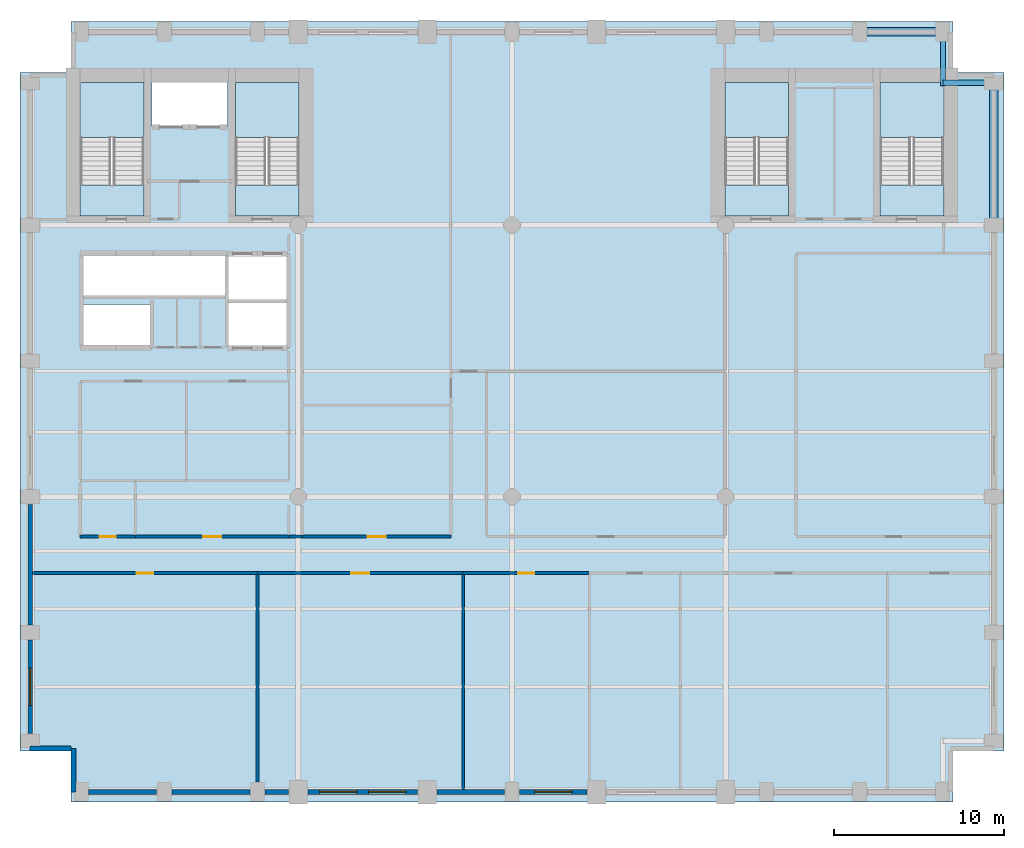
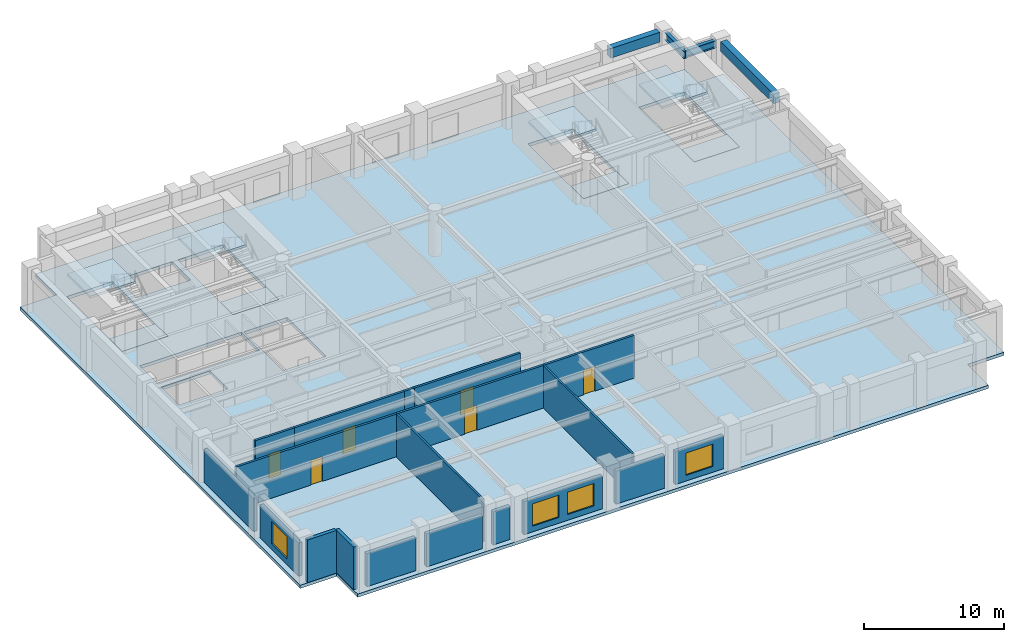
# One storey, part 2 of 8: 19 walls, 9 slabs, 6 doors, 4 beams, 4 windows, 10 openings, 4 elements without a shape of their own.
"""IFC4 building model written with IfcOpenShell, lengths in metres."""

from ifc_helpers import new_model, si_unit, direction, frame, frame_2d, origin, origin_2d, place, context, subcontext, project, spatial, polyline, rectangle, i_section, outline, extrude, material, layer, layer_set, material_profile, profile_set, type_object, element, fill, aggregate, save


model = new_model("IFC4")

# Units and contexts
model_context = context("Model", 3, precision=1e-05, world=origin(), true_north=direction((0.0, 1.0)))
body_context = subcontext(model_context, "Body", "Model", "MODEL_VIEW")
ifc_project = project(units=[si_unit("LENGTHUNIT", "METRE"), si_unit("AREAUNIT", "SQUARE_METRE"), si_unit("VOLUMEUNIT", "CUBIC_METRE"), si_unit("PLANEANGLEUNIT", "RADIAN"), si_unit("MASSUNIT", "GRAM", prefix="KILO")], contexts=[model_context])

# Site, building, storey
site_placement = place(None, origin())
site = spatial("IfcSite", under=ifc_project, at=site_placement, CompositionType="ELEMENT")
building_placement = place(site_placement, origin())
building = spatial("IfcBuilding", under=site, at=building_placement, Name="Sulina Concourse Tower", CompositionType="ELEMENT")
storey_placement = place(building_placement, frame((0.0, 0.0, 108.60009765625)))
storey = spatial("IfcBuildingStorey", under=building, at=storey_placement, Name="L26", CompositionType="ELEMENT", Elevation=108.60009765625)

# Beams
ifc_material_1 = material(Name="Steel S355", Category="steel")
ifc_material_profile_1 = material_profile(ifc_material_1, i_section(OverallWidth=0.300048828125, OverallDepth=0.64990234375, WebThickness=0.01611328125, FlangeThickness=0.031005859375, at=origin_2d()), Name="HE 650 B")
ifc_profile_set_1 = profile_set([ifc_material_profile_1], Name="Steel S355")
beam_type_1 = type_object("IfcBeamType", Name="Floor Primary Girder Zone 2 HE650B", PredefinedType="BEAM", material=ifc_profile_set_1)
beam_1_placement = place(storey_placement, frame((54.39990234375, 42.39990234375, 3.39990234375), z_axis=(1.0, 0.0, 0.0), x_axis=(0.0, 1.0, 0.0)))
element("IfcBeam", 1, at=beam_1_placement, inside=storey, type_object=beam_type_1, Name="TIE-NE-L26", PredefinedType="BEAM", context=body_context, shape_type="SweptSolid", body=[
    extrude(i_section(OverallWidth=0.300048828125, OverallDepth=0.64990234375, WebThickness=0.01611328125, FlangeThickness=0.031005859375, at=origin_2d()), origin(), (0.0, 0.0, 1.0), 2.59521484375),
])
beam_2_placement = place(storey_placement, frame((54.39990234375, 42.199951171875, 3.39990234375), z_axis=(0.0, 1.0, 0.0), x_axis=(-1.0, 0.0, 0.0)))
element("IfcBeam", 2, at=beam_2_placement, inside=storey, type_object=beam_type_1, Name="TIE-NEN-L26", PredefinedType="BEAM", context=body_context, shape_type="SweptSolid", body=[
    extrude(i_section(OverallWidth=0.300048828125, OverallDepth=0.64990234375, WebThickness=0.01611328125, FlangeThickness=0.031005859375, at=origin_2d()), origin(), (0.0, 0.0, 1.0), 2.795166015625),
])
ifc_material_2 = material(Name="Precast concrete C50/60", Category="concrete")
ifc_material_profile_2 = material_profile(ifc_material_2, rectangle(XDim=0.5, YDim=0.85009765625, at=origin_2d()), Name="RC 500x850")
ifc_profile_set_2 = profile_set([ifc_material_profile_2], Name="Precast concrete C50/60")
beam_type_2 = type_object("IfcBeamType", Name="Lower Precast Spandrel Edge Beam 500x850", PredefinedType="BEAM", material=ifc_profile_set_2)
beam_3_placement = place(storey_placement, frame((49.905029296875, 45.39990234375, 3.2998046875), z_axis=(1.0, 0.0, 0.0), x_axis=(0.0, 1.0, 0.0)))
element("IfcBeam", 3, at=beam_3_placement, inside=storey, type_object=beam_type_2, Name="SP-N10-L26", PredefinedType="BEAM", context=body_context, shape_type="SweptSolid", body=[
    extrude(rectangle(XDim=0.5, YDim=0.85009765625, at=origin_2d()), origin(), (0.0, 0.0, 1.0), 4.090087890625),
])
beam_4_placement = place(storey_placement, frame((57.39990234375, 34.405029296875, 3.2998046875), z_axis=(0.0, 1.0, 0.0), x_axis=(-1.0, 0.0, 0.0)))
element("IfcBeam", 4, at=beam_4_placement, inside=storey, type_object=beam_type_2, Name="SP-E5-L26", PredefinedType="BEAM", context=body_context, shape_type="SweptSolid", body=[
    extrude(rectangle(XDim=0.5, YDim=0.85009765625, at=origin_2d()), origin(), (0.0, 0.0, 1.0), 7.590087890625),
])

# Slabs
ifc_material_3 = material(Name="Concrete C50/60", Category="concrete")
ifc_layer_1 = layer(ifc_material_3, 0.27490234375)
ifc_layer_set_1 = layer_set([ifc_layer_1], Name="Concrete C50/60")
slab_type_1 = type_object("IfcSlabType", Name="Mid-Rise Composite Floor Slab 275mm", PredefinedType="FLOOR", material=ifc_layer_set_1)
slab_1_placement = place(storey_placement, frame((0.0, 0.0, -0.275146484375)))
element("IfcSlab", 5, at=slab_1_placement, inside=storey, type_object=slab_type_1, Name="L26 structural floor slab", PredefinedType="FLOOR", context=body_context, shape_type="SweptSolid", body=[
    extrude(outline(polyline([(3.0, 0.0), (55.0, 0.0), (55.0, 3.0), (58.0, 3.0), (58.0, 43.0), (55.0, 43.0), (55.0, 46.0), (3.0, 46.0), (3.0, 43.0), (0.0, 43.0), (0.0, 3.0), (3.0, 3.0), (3.0, 0.0)]), holes=[polyline([(7.31005859375, 34.550048828125), (7.31005859375, 42.429931640625), (3.550048828125, 42.429931640625), (3.550048828125, 34.550048828125), (7.31005859375, 34.550048828125)]), polyline([(16.449951171875, 34.550048828125), (16.449951171875, 42.429931640625), (12.68994140625, 42.429931640625), (12.68994140625, 34.550048828125), (16.449951171875, 34.550048828125)]), polyline([(45.31005859375, 34.550048828125), (45.31005859375, 42.429931640625), (41.550048828125, 42.429931640625), (41.550048828125, 34.550048828125), (45.31005859375, 34.550048828125)]), polyline([(54.449951171875, 34.550048828125), (54.449951171875, 42.429931640625), (50.68994140625, 42.429931640625), (50.68994140625, 34.550048828125), (54.449951171875, 34.550048828125)]), polyline([(7.780029296875, 39.830078125), (12.219970703125, 39.830078125), (12.219970703125, 42.449951171875), (7.780029296875, 42.449951171875), (7.780029296875, 39.830078125)]), polyline([(3.739990234375, 26.780029296875), (7.77001953125, 26.780029296875), (7.77001953125, 29.320068359375), (3.739990234375, 29.320068359375), (3.739990234375, 26.780029296875)]), polyline([(3.739990234375, 29.780029296875), (12.10009765625, 29.780029296875), (12.10009765625, 32.3701171875), (3.739990234375, 32.3701171875), (3.739990234375, 29.780029296875)]), polyline([(12.280029296875, 26.780029296875), (15.85009765625, 26.780029296875), (15.85009765625, 32.320068359375), (12.280029296875, 32.320068359375), (12.280029296875, 26.780029296875)])]), origin(), (0.0, 0.0, 1.0), 0.275146484375),
])
ifc_material_4 = material(Name="Concrete C50/60", Category="concrete")
ifc_layer_2 = layer(ifc_material_4, 0.199951171875)
ifc_layer_set_2 = layer_set([ifc_layer_2], Name="Concrete C50/60")
slab_type_2 = type_object("IfcSlabType", Name="Primary Core Stair Landing Slab 200mm", PredefinedType="LANDING", material=ifc_layer_set_2)
slab_2_placement = place(storey_placement, frame((0.0, 0.0, -0.2001953125)))
element("IfcSlab", 6, at=slab_2_placement, inside=storey, type_object=slab_type_2, Name="L26 ST-1 floor landing slab", PredefinedType="LANDING", context=body_context, shape_type="SweptSolid", body=[
    extrude(outline(polyline([(7.31005859375, 34.550048828125), (7.31005859375, 36.375), (3.550048828125, 36.375), (3.550048828125, 34.550048828125), (7.31005859375, 34.550048828125)])), origin(), (0.0, 0.0, 1.0), 0.2001953125),
])
slab_3_placement = place(storey_placement, frame((0.0, 0.0, -0.2001953125)))
element("IfcSlab", 7, at=slab_3_placement, inside=storey, type_object=slab_type_2, Name="L26 ST-2 floor landing slab", PredefinedType="LANDING", context=body_context, shape_type="SweptSolid", body=[
    extrude(outline(polyline([(16.449951171875, 34.550048828125), (16.449951171875, 36.375), (12.68994140625, 36.375), (12.68994140625, 34.550048828125), (16.449951171875, 34.550048828125)])), origin(), (0.0, 0.0, 1.0), 0.2001953125),
])
slab_4_placement = place(storey_placement, frame((0.0, 0.0, -0.2001953125)))
element("IfcSlab", 8, at=slab_4_placement, inside=storey, type_object=slab_type_2, Name="L26 ST-3 floor landing slab", PredefinedType="LANDING", context=body_context, shape_type="SweptSolid", body=[
    extrude(outline(polyline([(45.31005859375, 34.550048828125), (45.31005859375, 36.375), (41.550048828125, 36.375), (41.550048828125, 34.550048828125), (45.31005859375, 34.550048828125)])), origin(), (0.0, 0.0, 1.0), 0.2001953125),
])
slab_5_placement = place(storey_placement, frame((0.0, 0.0, -0.2001953125)))
element("IfcSlab", 9, at=slab_5_placement, inside=storey, type_object=slab_type_2, Name="L26 ST-4 floor landing slab", PredefinedType="LANDING", context=body_context, shape_type="SweptSolid", body=[
    extrude(outline(polyline([(54.449951171875, 34.550048828125), (54.449951171875, 36.375), (50.68994140625, 36.375), (50.68994140625, 34.550048828125), (54.449951171875, 34.550048828125)])), origin(), (0.0, 0.0, 1.0), 0.2001953125),
])

# Stair, slab
ifc_material_5 = material(Name="Concrete C50/60", Category="concrete")
stair_type_1 = type_object("IfcStairType", Name="Primary Core Dog-Leg Exit Stair 1800mm", PredefinedType="HALF_TURN_STAIR", material=ifc_material_5)
stair_1_placement = place(storey_placement, origin())
stair_1 = element("IfcStair", 10, at=stair_1_placement, inside=storey, type_object=stair_type_1, Name="L26 ST-1", PredefinedType="HALF_TURN_STAIR")
slab_6_placement = place(storey_placement, frame((0.0, 0.0, 1.7998046875)))
slab_6 = element("IfcSlab", 11, at=slab_6_placement, type_object=slab_type_2, Name="ST-1 landing 1", PredefinedType="LANDING", context=body_context, shape_type="SweptSolid", body=[
    extrude(outline(polyline([(7.304931640625, 39.175048828125), (7.304931640625, 42.425048828125), (3.554931640625, 42.425048828125), (3.554931640625, 39.175048828125), (7.304931640625, 39.175048828125)])), origin(), (0.0, 0.0, 1.0), 0.2001953125),
])
aggregate(stair_1, [slab_6])

stair_2_placement = place(storey_placement, origin())
stair_2 = element("IfcStair", 12, at=stair_2_placement, inside=storey, type_object=stair_type_1, Name="L26 ST-2", PredefinedType="HALF_TURN_STAIR")
slab_7_placement = place(storey_placement, frame((0.0, 0.0, 1.7998046875)))
slab_7 = element("IfcSlab", 13, at=slab_7_placement, type_object=slab_type_2, Name="ST-2 landing 1", PredefinedType="LANDING", context=body_context, shape_type="SweptSolid", body=[
    extrude(outline(polyline([(16.445068359375, 39.175048828125), (16.445068359375, 42.425048828125), (12.695068359375, 42.425048828125), (12.695068359375, 39.175048828125), (16.445068359375, 39.175048828125)])), origin(), (0.0, 0.0, 1.0), 0.2001953125),
])
aggregate(stair_2, [slab_7])

ifc_material_6 = material(Name="Concrete C50/60", Category="concrete")
stair_type_2 = type_object("IfcStairType", Name="Portal & Podium Core Exit Stair 1820mm", PredefinedType="HALF_TURN_STAIR", material=ifc_material_6)
stair_3_placement = place(storey_placement, origin())
stair_3 = element("IfcStair", 14, at=stair_3_placement, inside=storey, type_object=stair_type_2, Name="L26 ST-3", PredefinedType="HALF_TURN_STAIR")
slab_8_placement = place(storey_placement, frame((0.0, 0.0, 1.7998046875)))
slab_8 = element("IfcSlab", 15, at=slab_8_placement, type_object=slab_type_2, Name="ST-3 landing 1", PredefinedType="LANDING", context=body_context, shape_type="SweptSolid", body=[
    extrude(outline(polyline([(45.304931640625, 39.175048828125), (45.304931640625, 42.425048828125), (41.554931640625, 42.425048828125), (41.554931640625, 39.175048828125), (45.304931640625, 39.175048828125)])), origin(), (0.0, 0.0, 1.0), 0.2001953125),
])
aggregate(stair_3, [slab_8])

stair_4_placement = place(storey_placement, origin())
stair_4 = element("IfcStair", 16, at=stair_4_placement, inside=storey, type_object=stair_type_2, Name="L26 ST-4", PredefinedType="HALF_TURN_STAIR")
slab_9_placement = place(storey_placement, frame((0.0, 0.0, 1.7998046875)))
slab_9 = element("IfcSlab", 17, at=slab_9_placement, type_object=slab_type_2, Name="ST-4 landing 1", PredefinedType="LANDING", context=body_context, shape_type="SweptSolid", body=[
    extrude(outline(polyline([(54.445068359375, 39.175048828125), (54.445068359375, 42.425048828125), (50.695068359375, 42.425048828125), (50.695068359375, 39.175048828125), (54.445068359375, 39.175048828125)])), origin(), (0.0, 0.0, 1.0), 0.2001953125),
])
aggregate(stair_4, [slab_9])

# Walls
ifc_material_7 = material(Name="Gypsum board on steel stud", Category="steel")
ifc_layer_3 = layer(ifc_material_7, 0.14990234375)
ifc_layer_set_3 = layer_set([ifc_layer_3], Name="Gypsum board on steel stud")
wall_type_1 = type_object("IfcWallType", Name="Inter-Tenancy Acoustic Partition 150mm", PredefinedType="PARTITIONING", material=ifc_layer_set_3)
wall_1_placement = place(storey_placement, frame((14.0, 1.175048828125, 0.0), z_axis=(0.0, 0.0, 1.0), x_axis=(0.0, 1.0, 0.0)))
element("IfcWall", 18, at=wall_1_placement, inside=storey, type_object=wall_type_1, Name="L26 interior partition 037", PredefinedType="PARTITIONING", context=body_context, shape_type="SweptSolid", body=[
    extrude(rectangle(XDim=12.23486328125, YDim=0.14990234375, at=frame_2d((6.117431640625, 0.0))), origin(), (0.0, 0.0, 1.0), 3.724853515625),
])
wall_2_placement = place(storey_placement, frame((26.1201171875, 0.739990234375, 0.0), z_axis=(0.0, 0.0, 1.0), x_axis=(0.0, 1.0, 0.0)))
element("IfcWall", 19, at=wall_2_placement, inside=storey, type_object=wall_type_1, Name="L26 interior partition 048", PredefinedType="PARTITIONING", context=body_context, shape_type="SweptSolid", body=[
    extrude(rectangle(XDim=12.669921875, YDim=0.14990234375, at=frame_2d((6.3349609375, 0.0))), origin(), (0.0, 0.0, 1.0), 3.724853515625),
])

# Wall, opening, door
ifc_material_8 = material(Name="Gypsum board on steel stud", Category="steel")
ifc_layer_4 = layer(ifc_material_8, 0.179931640625)
ifc_layer_set_4 = layer_set([ifc_layer_4], Name="Gypsum board on steel stud")
wall_type_2 = type_object("IfcWallType", Name="Protected Corridor & Riser Partition 180mm", PredefinedType="PARTITIONING", material=ifc_layer_set_4)
wall_3_placement = place(storey_placement, frame((0.739990234375, 13.5, 0.0), z_axis=(0.0, 0.0, 1.0), x_axis=(1.0, 0.0, 0.0)))
wall_3 = element("IfcWall", 20, at=wall_3_placement, inside=storey, type_object=wall_type_2, Name="L26 interior partition 001", PredefinedType="PARTITIONING", context=body_context, shape_type="SweptSolid", body=[
    extrude(rectangle(XDim=13.260009765625, YDim=0.179931640625, at=frame_2d((6.6298828125, 0.0))), origin(), (0.0, 0.0, 1.0), 3.724853515625),
])
opening_1_placement = place(wall_3_placement, frame((6.155029296875, 0.0, 0.0)))
opening_1 = element("IfcOpeningElement", 21, at=opening_1_placement, cuts=wall_3, Name="Opening DR-19", PredefinedType="OPENING", context=body_context, shape_type="SweptSolid", body=[
    extrude(rectangle(XDim=0.949951171875, YDim=2.14990234375, at=frame_2d((0.47509765625, 1.074951171875))), frame((0.0, 0.099853515625, 0.0), z_axis=(0.0, -1.0, 0.0), x_axis=(1.0, 0.0, 0.0)), (0.0, 0.0, 1.0), 0.199951171875),
])
ifc_material_9 = material(Name="Oak-veneered acoustic timber leaf", Category="wood")
ifc_layer_5 = layer(ifc_material_9, 0.050048828125)
ifc_layer_set_5 = layer_set([ifc_layer_5], Name="Oak-veneered acoustic timber leaf")
door_type_1 = type_object("IfcDoorType", Name="Cellular Office & Meeting Door 950x2150", OperationType="NOTDEFINED", PredefinedType="DOOR", material=ifc_layer_set_5)
door_1_placement = place(opening_1_placement, origin())
door_1 = element("IfcDoor", 22, at=door_1_placement, inside=storey, type_object=door_type_1, Name="L26 interior door L26-S01", OperationType="SINGLE_SWING_RIGHT", OverallHeight=2.14990234375, OverallWidth=0.949951171875, PredefinedType="DOOR", context=body_context, shape_type="SweptSolid", body=[
    extrude(rectangle(XDim=0.949951171875, YDim=2.14990234375, at=frame_2d((0.47509765625, 1.074951171875))), frame((0.0, 0.02490234375, 0.0), z_axis=(0.0, -1.0, 0.0), x_axis=(1.0, 0.0, 0.0)), (0.0, 0.0, 1.0), 0.050048828125),
])
fill(opening_1, door_1)

wall_4_placement = place(storey_placement, frame((14.0, 13.5, 0.0), z_axis=(0.0, 0.0, 1.0), x_axis=(1.0, 0.0, 0.0)))
wall_4 = element("IfcWall", 23, at=wall_4_placement, inside=storey, type_object=wall_type_2, Name="L26 interior partition 002", PredefinedType="PARTITIONING", context=body_context, shape_type="SweptSolid", body=[
    extrude(rectangle(XDim=12.1201171875, YDim=0.179931640625, at=frame_2d((6.06005859375, 0.0))), origin(), (0.0, 0.0, 1.0), 3.724853515625),
])
opening_2_placement = place(wall_4_placement, frame((5.534912109375, 0.0, 0.0)))
opening_2 = element("IfcOpeningElement", 24, at=opening_2_placement, cuts=wall_4, Name="Opening DR-37", PredefinedType="OPENING", context=body_context, shape_type="SweptSolid", body=[
    extrude(rectangle(XDim=1.050048828125, YDim=2.14990234375, at=frame_2d((0.52490234375, 1.074951171875))), frame((0.0, 0.099853515625, 0.0), z_axis=(0.0, -1.0, 0.0), x_axis=(1.0, 0.0, 0.0)), (0.0, 0.0, 1.0), 0.199951171875),
])
ifc_material_10 = material(Name="Oak-veneered fire door leaf")
ifc_layer_6 = layer(ifc_material_10, 0.050048828125)
ifc_layer_set_6 = layer_set([ifc_layer_6], Name="Oak-veneered fire door leaf")
door_type_2 = type_object("IfcDoorType", Name="Tenant Suite Entrance Fire Door 1050x2150", OperationType="NOTDEFINED", PredefinedType="DOOR", material=ifc_layer_set_6)
door_2_placement = place(opening_2_placement, origin())
door_2 = element("IfcDoor", 25, at=door_2_placement, inside=storey, type_object=door_type_2, Name="L26 interior door L26-S02", OperationType="SINGLE_SWING_LEFT", OverallHeight=2.14990234375, OverallWidth=1.050048828125, PredefinedType="DOOR", context=body_context, shape_type="SweptSolid", body=[
    extrude(rectangle(XDim=1.050048828125, YDim=2.14990234375, at=frame_2d((0.52490234375, 1.074951171875))), frame((0.0, 0.02490234375, 0.0), z_axis=(0.0, -1.0, 0.0), x_axis=(1.0, 0.0, 0.0)), (0.0, 0.0, 1.0), 0.050048828125),
])
fill(opening_2, door_2)

wall_5_placement = place(storey_placement, frame((26.1201171875, 13.5, 0.0), z_axis=(0.0, 0.0, 1.0), x_axis=(1.0, 0.0, 0.0)))
wall_5 = element("IfcWall", 26, at=wall_5_placement, inside=storey, type_object=wall_type_2, Name="L26 interior partition 003", PredefinedType="PARTITIONING", context=body_context, shape_type="SweptSolid", body=[
    extrude(rectangle(XDim=7.419921875, YDim=0.179931640625, at=frame_2d((3.7099609375, 0.0))), origin(), (0.0, 0.0, 1.0), 3.724853515625),
])
opening_3_placement = place(wall_5_placement, frame((3.235107421875, 0.0, 0.0)))
opening_3 = element("IfcOpeningElement", 27, at=opening_3_placement, cuts=wall_5, Name="Opening DR-19", PredefinedType="OPENING", context=body_context, shape_type="SweptSolid", body=[
    extrude(rectangle(XDim=0.949951171875, YDim=2.14990234375, at=frame_2d((0.47509765625, 1.074951171875))), frame((0.0, 0.099853515625, 0.0), z_axis=(0.0, -1.0, 0.0), x_axis=(1.0, 0.0, 0.0)), (0.0, 0.0, 1.0), 0.199951171875),
])
door_3_placement = place(opening_3_placement, origin())
door_3 = element("IfcDoor", 28, at=door_3_placement, inside=storey, type_object=door_type_1, Name="L26 interior door L26-S03A", OperationType="SINGLE_SWING_RIGHT", OverallHeight=2.14990234375, OverallWidth=0.949951171875, PredefinedType="DOOR", context=body_context, shape_type="SweptSolid", body=[
    extrude(rectangle(XDim=0.949951171875, YDim=2.14990234375, at=frame_2d((0.47509765625, 1.074951171875))), frame((0.0, 0.02490234375, 0.0), z_axis=(0.0, -1.0, 0.0), x_axis=(1.0, 0.0, 0.0)), (0.0, 0.0, 1.0), 0.050048828125),
])
fill(opening_3, door_3)

wall_6_placement = place(storey_placement, frame((3.550048828125, 15.64990234375, 0.0), z_axis=(0.0, 0.0, 1.0), x_axis=(1.0, 0.0, 0.0)))
wall_6 = element("IfcWall", 29, at=wall_6_placement, inside=storey, type_object=wall_type_2, Name="L26 interior partition 007", PredefinedType="PARTITIONING", context=body_context, shape_type="SweptSolid", body=[
    extrude(rectangle(XDim=3.25, YDim=0.179931640625, at=frame_2d((1.625, 0.0))), origin(), (0.0, 0.0, 1.0), 3.724853515625),
])
opening_4_placement = place(wall_6_placement, frame((1.14990234375, 0.0, 0.0)))
opening_4 = element("IfcOpeningElement", 30, at=opening_4_placement, cuts=wall_6, Name="Opening DR-19", PredefinedType="OPENING", context=body_context, shape_type="SweptSolid", body=[
    extrude(rectangle(XDim=0.949951171875, YDim=2.14990234375, at=frame_2d((0.47509765625, 1.074951171875))), frame((0.0, 0.099853515625, 0.0), z_axis=(0.0, -1.0, 0.0), x_axis=(1.0, 0.0, 0.0)), (0.0, 0.0, 1.0), 0.199951171875),
])
door_4_placement = place(opening_4_placement, origin())
door_4 = element("IfcDoor", 31, at=door_4_placement, inside=storey, type_object=door_type_1, Name="L26 interior door L26-WSB-1", OperationType="SINGLE_SWING_RIGHT", OverallHeight=2.14990234375, OverallWidth=0.949951171875, PredefinedType="DOOR", context=body_context, shape_type="SweptSolid", body=[
    extrude(rectangle(XDim=0.949951171875, YDim=2.14990234375, at=frame_2d((0.47509765625, 1.074951171875))), frame((0.0, 0.02490234375, 0.0), z_axis=(0.0, -1.0, 0.0), x_axis=(1.0, 0.0, 0.0)), (0.0, 0.0, 1.0), 0.050048828125),
])
fill(opening_4, door_4)

wall_7_placement = place(storey_placement, frame((6.800048828125, 15.64990234375, 0.0), z_axis=(0.0, 0.0, 1.0), x_axis=(1.0, 0.0, 0.0)))
wall_7 = element("IfcWall", 32, at=wall_7_placement, inside=storey, type_object=wall_type_2, Name="L26 interior partition 008", PredefinedType="PARTITIONING", context=body_context, shape_type="SweptSolid", body=[
    extrude(rectangle(XDim=9.050048828125, YDim=0.179931640625, at=frame_2d((4.52490234375, 0.0))), origin(), (0.0, 0.0, 1.0), 3.724853515625),
])
opening_5_placement = place(wall_7_placement, frame((4.0, 0.0, 0.0)))
opening_5 = element("IfcOpeningElement", 33, at=opening_5_placement, cuts=wall_7, Name="Opening DR-37", PredefinedType="OPENING", context=body_context, shape_type="SweptSolid", body=[
    extrude(rectangle(XDim=1.050048828125, YDim=2.14990234375, at=frame_2d((0.52490234375, 1.074951171875))), frame((0.0, 0.099853515625, 0.0), z_axis=(0.0, -1.0, 0.0), x_axis=(1.0, 0.0, 0.0)), (0.0, 0.0, 1.0), 0.199951171875),
])
door_5_placement = place(opening_5_placement, origin())
door_5 = element("IfcDoor", 34, at=door_5_placement, inside=storey, type_object=door_type_2, Name="L26 interior door L26-WSB-2", OperationType="SINGLE_SWING_LEFT", OverallHeight=2.14990234375, OverallWidth=1.050048828125, PredefinedType="DOOR", context=body_context, shape_type="SweptSolid", body=[
    extrude(rectangle(XDim=1.050048828125, YDim=2.14990234375, at=frame_2d((0.52490234375, 1.074951171875))), frame((0.0, 0.02490234375, 0.0), z_axis=(0.0, -1.0, 0.0), x_axis=(1.0, 0.0, 0.0)), (0.0, 0.0, 1.0), 0.050048828125),
])
fill(opening_5, door_5)

# Wall
wall_8_placement = place(storey_placement, frame((15.85009765625, 15.64990234375, 0.0), z_axis=(0.0, 0.0, 1.0), x_axis=(1.0, 0.0, 0.0)))
element("IfcWall", 35, at=wall_8_placement, inside=storey, type_object=wall_type_2, Name="L26 interior partition 009", PredefinedType="PARTITIONING", context=body_context, shape_type="SweptSolid", body=[
    extrude(rectangle(XDim=0.7998046875, YDim=0.179931640625, at=frame_2d((0.39990234375, 0.0))), origin(), (0.0, 0.0, 1.0), 3.724853515625),
])

# Wall, opening, door
wall_9_placement = place(storey_placement, frame((16.64990234375, 15.64990234375, 0.0), z_axis=(0.0, 0.0, 1.0), x_axis=(1.0, 0.0, 0.0)))
wall_9 = element("IfcWall", 36, at=wall_9_placement, inside=storey, type_object=wall_type_2, Name="L26 interior partition 010", PredefinedType="PARTITIONING", context=body_context, shape_type="SweptSolid", body=[
    extrude(rectangle(XDim=8.75, YDim=0.179931640625, at=frame_2d((4.375, 0.0))), origin(), (0.0, 0.0, 1.0), 3.724853515625),
])
opening_6_placement = place(wall_9_placement, frame((3.85009765625, 0.0, 0.0)))
opening_6 = element("IfcOpeningElement", 37, at=opening_6_placement, cuts=wall_9, Name="Opening DR-37", PredefinedType="OPENING", context=body_context, shape_type="SweptSolid", body=[
    extrude(rectangle(XDim=1.050048828125, YDim=2.14990234375, at=frame_2d((0.52490234375, 1.074951171875))), frame((0.0, 0.099853515625, 0.0), z_axis=(0.0, -1.0, 0.0), x_axis=(1.0, 0.0, 0.0)), (0.0, 0.0, 1.0), 0.199951171875),
])
door_6_placement = place(opening_6_placement, origin())
door_6 = element("IfcDoor", 38, at=door_6_placement, inside=storey, type_object=door_type_2, Name="L26 interior door L26-NC1", OperationType="SINGLE_SWING_RIGHT", OverallHeight=2.14990234375, OverallWidth=1.050048828125, PredefinedType="DOOR", context=body_context, shape_type="SweptSolid", body=[
    extrude(rectangle(XDim=1.050048828125, YDim=2.14990234375, at=frame_2d((0.52490234375, 1.074951171875))), frame((0.0, 0.02490234375, 0.0), z_axis=(0.0, -1.0, 0.0), x_axis=(1.0, 0.0, 0.0)), (0.0, 0.0, 1.0), 0.050048828125),
])
fill(opening_6, door_6)

# Walls
ifc_material_11 = material(Name="Precast concrete C50/60", Category="concrete")
ifc_layer_7 = layer(ifc_material_11, 0.280029296875)
ifc_layer_set_7 = layer_set([ifc_layer_7], Name="Precast concrete C50/60")
wall_type_3 = type_object("IfcWallType", Name="Typical Precast Masonry-Frame Facade Wall 280mm", PredefinedType="SOLIDWALL", material=ifc_layer_set_7)
wall_10_placement = place(storey_placement, frame((8.054931640625, 0.60009765625, 0.0), z_axis=(0.0, 0.0, 1.0), x_axis=(-1.0, 0.0, 0.0)))
element("IfcWall", 39, at=wall_10_placement, inside=storey, type_object=wall_type_3, Name="L26 exterior precast wall S1", PredefinedType="SOLIDWALL", context=body_context, shape_type="SweptSolid", body=[
    extrude(rectangle(XDim=4.010009765625, YDim=0.280029296875, at=frame_2d((2.0048828125, 0.0))), origin(), (0.0, 0.0, 1.0), 2.875),
])
wall_11_placement = place(storey_placement, frame((13.554931640625, 0.60009765625, 0.0), z_axis=(0.0, 0.0, 1.0), x_axis=(-1.0, 0.0, 0.0)))
element("IfcWall", 40, at=wall_11_placement, inside=storey, type_object=wall_type_3, Name="L26 exterior precast wall S2", PredefinedType="SOLIDWALL", context=body_context, shape_type="SweptSolid", body=[
    extrude(rectangle(XDim=4.60986328125, YDim=0.280029296875, at=frame_2d((2.304931640625, 0.0))), origin(), (0.0, 0.0, 1.0), 2.875),
])
wall_12_placement = place(storey_placement, frame((15.830078125, 0.60009765625, 0.0), z_axis=(0.0, 0.0, 1.0), x_axis=(-1.0, 0.0, 0.0)))
element("IfcWall", 41, at=wall_12_placement, inside=storey, type_object=wall_type_3, Name="L26 exterior precast wall S3", PredefinedType="SOLIDWALL", context=body_context, shape_type="SweptSolid", body=[
    extrude(rectangle(XDim=1.385009765625, YDim=0.280029296875, at=frame_2d((0.6923828125, 0.0))), origin(), (0.0, 0.0, 1.0), 2.875),
])

# Wall, openings, windows
wall_13_placement = place(storey_placement, frame((23.429931640625, 0.60009765625, 0.0), z_axis=(0.0, 0.0, 1.0), x_axis=(-1.0, 0.0, 0.0)))
wall_13 = element("IfcWall", 42, at=wall_13_placement, inside=storey, type_object=wall_type_3, Name="L26 exterior precast wall S4", PredefinedType="SOLIDWALL", context=body_context, shape_type="SweptSolid", body=[
    extrude(rectangle(XDim=6.4599609375, YDim=0.280029296875, at=frame_2d((3.22998046875, 0.0))), origin(), (0.0, 0.0, 1.0), 2.875),
])
opening_7_placement = place(wall_13_placement, frame((0.686767578125, 0.0, 0.5)))
opening_7 = element("IfcOpeningElement", 43, at=opening_7_placement, cuts=wall_13, Name="Opening WN-76", PredefinedType="OPENING", context=body_context, shape_type="SweptSolid", body=[
    extrude(rectangle(XDim=2.199951171875, YDim=1.949951171875, at=frame_2d((1.10009765625, 0.97509765625))), frame((0.0, 0.14990234375, 0.0), z_axis=(0.0, -1.0, 0.0), x_axis=(1.0, 0.0, 0.0)), (0.0, 0.0, 1.0), 0.300048828125),
])
opening_8_placement = place(wall_13_placement, frame((3.5732421875, 0.0, 0.5)))
opening_8 = element("IfcOpeningElement", 44, at=opening_8_placement, cuts=wall_13, Name="Opening WN-76", PredefinedType="OPENING", context=body_context, shape_type="SweptSolid", body=[
    extrude(rectangle(XDim=2.199951171875, YDim=1.949951171875, at=frame_2d((1.10009765625, 0.97509765625))), frame((0.0, 0.14990234375, 0.0), z_axis=(0.0, -1.0, 0.0), x_axis=(1.0, 0.0, 0.0)), (0.0, 0.0, 1.0), 0.300048828125),
])
ifc_material_12 = material(Name="Low-E solar double glazing in bronze aluminium", Category="aluminium")
window_type = type_object("IfcWindowType", Name="Recessed Spandrel Window 2200x1950", PartitioningType="DOUBLE_PANEL_VERTICAL", PredefinedType="WINDOW", material=ifc_material_12)
window_1_placement = place(opening_7_placement, origin())
window_1 = element("IfcWindow", 45, at=window_1_placement, inside=storey, type_object=window_type, Name="L26 punched window S4-1", OverallHeight=1.949951171875, OverallWidth=2.199951171875, PartitioningType="SINGLE_PANEL", PredefinedType="WINDOW", context=body_context, shape_type="SweptSolid", body=[
    extrude(rectangle(XDim=2.199951171875, YDim=1.949951171875, at=frame_2d((1.10009765625, 0.97509765625))), frame((0.0, 0.030029296875, 0.0), z_axis=(0.0, -1.0, 0.0), x_axis=(1.0, 0.0, 0.0)), (0.0, 0.0, 1.0), 0.06005859375),
])
fill(opening_7, window_1)
window_2_placement = place(opening_8_placement, origin())
window_2 = element("IfcWindow", 46, at=window_2_placement, inside=storey, type_object=window_type, Name="L26 punched window S4-2", OverallHeight=1.949951171875, OverallWidth=2.199951171875, PartitioningType="SINGLE_PANEL", PredefinedType="WINDOW", context=body_context, shape_type="SweptSolid", body=[
    extrude(rectangle(XDim=2.199951171875, YDim=1.949951171875, at=frame_2d((1.10009765625, 0.97509765625))), frame((0.0, 0.030029296875, 0.0), z_axis=(0.0, -1.0, 0.0), x_axis=(1.0, 0.0, 0.0)), (0.0, 0.0, 1.0), 0.06005859375),
])
fill(opening_8, window_2)

# Wall
wall_14_placement = place(storey_placement, frame((28.554931640625, 0.60009765625, 0.0), z_axis=(0.0, 0.0, 1.0), x_axis=(-1.0, 0.0, 0.0)))
element("IfcWall", 47, at=wall_14_placement, inside=storey, type_object=wall_type_3, Name="L26 exterior precast wall S5", PredefinedType="SOLIDWALL", context=body_context, shape_type="SweptSolid", body=[
    extrude(rectangle(XDim=3.98486328125, YDim=0.280029296875, at=frame_2d((1.992431640625, 0.0))), origin(), (0.0, 0.0, 1.0), 2.875),
])

# Wall, opening, window
wall_15_placement = place(storey_placement, frame((33.429931640625, 0.60009765625, 0.0), z_axis=(0.0, 0.0, 1.0), x_axis=(-1.0, 0.0, 0.0)))
wall_15 = element("IfcWall", 48, at=wall_15_placement, inside=storey, type_object=wall_type_3, Name="L26 exterior precast wall S6", PredefinedType="SOLIDWALL", context=body_context, shape_type="SweptSolid", body=[
    extrude(rectangle(XDim=3.98486328125, YDim=0.280029296875, at=frame_2d((1.992431640625, 0.0))), origin(), (0.0, 0.0, 1.0), 2.875),
])
opening_9_placement = place(wall_15_placement, frame((0.892578125, 0.0, 0.5)))
opening_9 = element("IfcOpeningElement", 49, at=opening_9_placement, cuts=wall_15, Name="Opening WN-76", PredefinedType="OPENING", context=body_context, shape_type="SweptSolid", body=[
    extrude(rectangle(XDim=2.199951171875, YDim=1.949951171875, at=frame_2d((1.10009765625, 0.97509765625))), frame((0.0, 0.14990234375, 0.0), z_axis=(0.0, -1.0, 0.0), x_axis=(1.0, 0.0, 0.0)), (0.0, 0.0, 1.0), 0.300048828125),
])
window_3_placement = place(opening_9_placement, origin())
window_3 = element("IfcWindow", 50, at=window_3_placement, inside=storey, type_object=window_type, Name="L26 punched window S6-1", OverallHeight=1.949951171875, OverallWidth=2.199951171875, PartitioningType="SINGLE_PANEL", PredefinedType="WINDOW", context=body_context, shape_type="SweptSolid", body=[
    extrude(rectangle(XDim=2.199951171875, YDim=1.949951171875, at=frame_2d((1.10009765625, 0.97509765625))), frame((0.0, 0.030029296875, 0.0), z_axis=(0.0, -1.0, 0.0), x_axis=(1.0, 0.0, 0.0)), (0.0, 0.0, 1.0), 0.06005859375),
])
fill(opening_9, window_3)

wall_16_placement = place(storey_placement, frame((0.60009765625, 4.044921875, 0.0), z_axis=(0.0, 0.0, 1.0), x_axis=(0.0, 1.0, 0.0)))
wall_16 = element("IfcWall", 51, at=wall_16_placement, inside=storey, type_object=wall_type_3, Name="L26 exterior precast wall W1", PredefinedType="SOLIDWALL", context=body_context, shape_type="SweptSolid", body=[
    extrude(rectangle(XDim=5.510009765625, YDim=0.280029296875, at=frame_2d((2.7548828125, 0.0))), origin(), (0.0, 0.0, 1.0), 2.875),
])
opening_10_placement = place(wall_16_placement, frame((1.655029296875, 0.0, 0.5)))
opening_10 = element("IfcOpeningElement", 52, at=opening_10_placement, cuts=wall_16, Name="Opening WN-76", PredefinedType="OPENING", context=body_context, shape_type="SweptSolid", body=[
    extrude(rectangle(XDim=2.199951171875, YDim=1.949951171875, at=frame_2d((1.10009765625, 0.97509765625))), frame((0.0, 0.14990234375, 0.0), z_axis=(0.0, -1.0, 0.0), x_axis=(1.0, 0.0, 0.0)), (0.0, 0.0, 1.0), 0.300048828125),
])
window_4_placement = place(opening_10_placement, origin())
window_4 = element("IfcWindow", 53, at=window_4_placement, inside=storey, type_object=window_type, Name="L26 punched window W1-1", OverallHeight=1.949951171875, OverallWidth=2.199951171875, PartitioningType="SINGLE_PANEL", PredefinedType="WINDOW", context=body_context, shape_type="SweptSolid", body=[
    extrude(rectangle(XDim=2.199951171875, YDim=1.949951171875, at=frame_2d((1.10009765625, 0.97509765625))), frame((0.0, 0.030029296875, 0.0), z_axis=(0.0, -1.0, 0.0), x_axis=(1.0, 0.0, 0.0)), (0.0, 0.0, 1.0), 0.06005859375),
])
fill(opening_10, window_4)

# Walls
wall_17_placement = place(storey_placement, frame((0.60009765625, 10.445068359375, 0.0), z_axis=(0.0, 0.0, 1.0), x_axis=(0.0, 1.0, 0.0)))
element("IfcWall", 54, at=wall_17_placement, inside=storey, type_object=wall_type_3, Name="L26 exterior precast wall W2", PredefinedType="SOLIDWALL", context=body_context, shape_type="SweptSolid", body=[
    extrude(rectangle(XDim=7.10986328125, YDim=0.280029296875, at=frame_2d((3.554931640625, 0.0))), origin(), (0.0, 0.0, 1.0), 2.875),
])
wall_18_placement = place(storey_placement, frame((3.155029296875, 0.60009765625, 0.0), z_axis=(0.0, 0.0, 1.0), x_axis=(0.0, 1.0, 0.0)))
element("IfcWall", 55, at=wall_18_placement, inside=storey, type_object=wall_type_3, Name="L26 exterior precast wall CSW1", PredefinedType="SOLIDWALL", context=body_context, shape_type="SweptSolid", body=[
    extrude(rectangle(XDim=2.554931640625, YDim=0.280029296875, at=frame_2d((1.27734375, 0.0))), origin(), (0.0, 0.0, 1.0), 3.724853515625),
])
wall_19_placement = place(storey_placement, frame((3.010009765625, 3.155029296875, 0.0), z_axis=(0.0, 0.0, 1.0), x_axis=(-1.0, 0.0, 0.0)))
element("IfcWall", 56, at=wall_19_placement, inside=storey, type_object=wall_type_3, Name="L26 exterior precast wall CSW2", PredefinedType="SOLIDWALL", context=body_context, shape_type="SweptSolid", body=[
    extrude(rectangle(XDim=2.409912109375, YDim=0.280029296875, at=frame_2d((1.205078125, 0.0))), origin(), (0.0, 0.0, 1.0), 3.724853515625),
])

save(model, "model.ifc")
